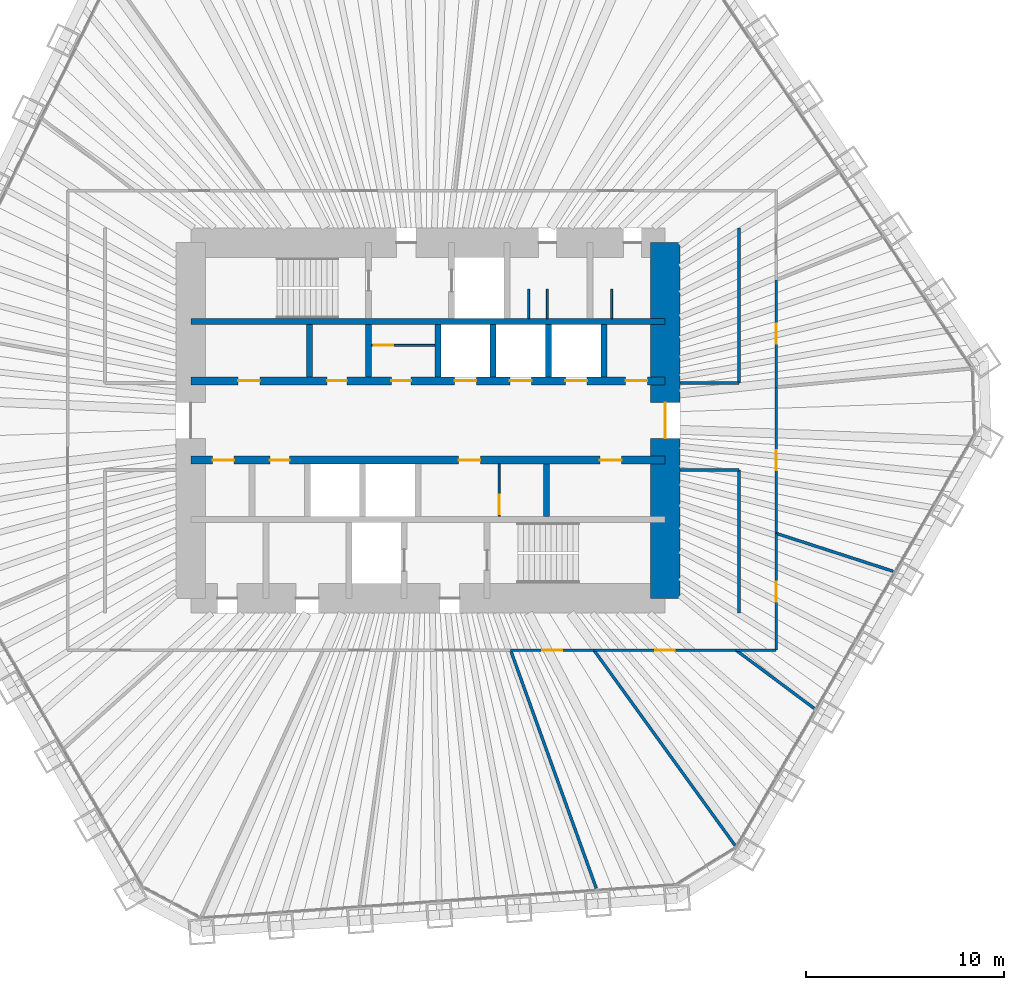
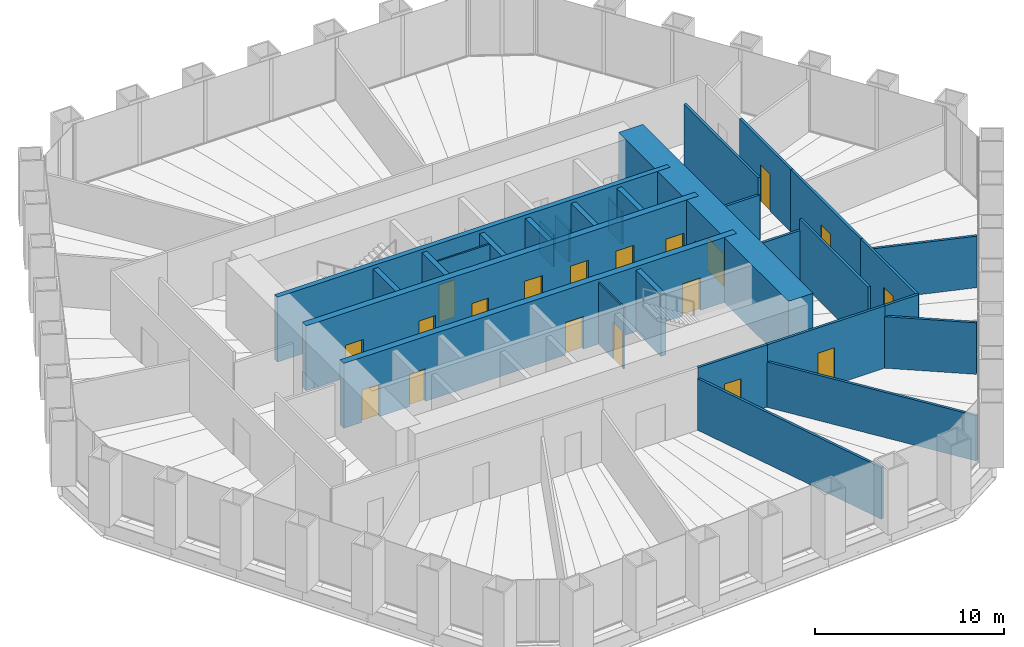
# One storey, part 11 of 13: 30 walls, 19 doors, 19 openings.
"""IFC4 building model written with IfcOpenShell, lengths in metres."""

import ifcopenshell
import ifcopenshell.guid

model = None  # the IFC model being written
_history = None  # IfcOwnerHistory: only IFC2X3 demands one
_inside = {}  # id of a spatial element -> (the spatial element, [elements in it])
_under = {}  # id of a project, library or spatial element -> (it, [spatial elements below it])
_declared = {}  # id of a project -> (the project, [libraries it declares])
_typed = {}  # id of a type object -> (the type object, [elements of that type])
_made_of = {}  # id of a material, layer set ... -> (it, [elements and type objects made of it])


def new_model(schema):
    """Start an empty IFC model of exactly this schema.

    Asked for "IFC4X3", IfcOpenShell would pick the latest addendum, in which some entities
    have other attributes; the version numbers below select the first issue.
    IFC2X3 requires an IfcOwnerHistory on every rooted entity: one is made here for all.
    """
    global model, _history
    if schema == "IFC4X3":
        model = ifcopenshell.file(schema_version=(4, 3, 0, 0))
    else:
        model = ifcopenshell.file(schema=schema)
    _inside.clear()
    _under.clear()
    _declared.clear()
    _typed.clear()
    _made_of.clear()
    _history = None
    if model.schema == "IFC2X3":
        org = make("IfcOrganization", Name="unknown")
        user = make(
            "IfcPersonAndOrganization",
            ThePerson=make("IfcPerson", FamilyName="unknown"),
            TheOrganization=org,
        )
        app = make(
            "IfcApplication",
            ApplicationDeveloper=org,
            Version="unknown",
            ApplicationFullName="unknown",
            ApplicationIdentifier="unknown",
        )
        _history = make(
            "IfcOwnerHistory",
            OwningUser=user,
            OwningApplication=app,
            ChangeAction="ADDED",
            CreationDate=0,
        )
    return model


def make(cls, **values):
    """One entity of the class cls with the attributes given. An attribute that is None is left unset."""
    return model.create_entity(
        cls, **{name: value for name, value in values.items() if value is not None}
    )


def rooted(cls, **values):
    """An entity with a GlobalId (a new one), such as an element, a storey or a relation."""
    return make(cls, GlobalId=ifcopenshell.guid.new(), OwnerHistory=_history, **values)


def si_unit(unit_type, name, prefix=None):
    """IfcSIUnit, for example si_unit("LENGTHUNIT", "METRE", prefix="MILLI")."""
    return make("IfcSIUnit", UnitType=unit_type, Prefix=prefix, Name=name)


def assignment(units):
    """IfcUnitAssignment: the units of a project."""
    return None if units is None else make("IfcUnitAssignment", Units=units)


def point(xyz):
    """IfcCartesianPoint."""
    return None if xyz is None else make("IfcCartesianPoint", Coordinates=xyz)


def direction(xyz):
    """IfcDirection."""
    return None if xyz is None else make("IfcDirection", DirectionRatios=xyz)


def frame(location, z_axis=None, x_axis=None):
    """IfcAxis2Placement3D, a coordinate frame: its origin and axes. An axis left out is left unset."""
    return make(
        "IfcAxis2Placement3D",
        Location=point(location),
        Axis=direction(z_axis),
        RefDirection=direction(x_axis),
    )


def frame_2d(location, x_axis=None):
    """IfcAxis2Placement2D, a coordinate frame in the plane: its origin and x axis."""
    return make(
        "IfcAxis2Placement2D", Location=point(location), RefDirection=direction(x_axis)
    )


def origin():
    """The frame at (0, 0, 0) with its axes left unset."""
    return frame((0.0, 0.0, 0.0))


def place(relative_to, where):
    """IfcLocalPlacement: puts the frame where relative to a parent placement (None: the world)."""
    return make(
        "IfcLocalPlacement", PlacementRelTo=relative_to, RelativePlacement=where
    )


def context(
    kind, dimensions, precision=None, world=None, true_north=None, identifier=None
):
    """IfcGeometricRepresentationContext, for example the 3D "Model" context."""
    return make(
        "IfcGeometricRepresentationContext",
        ContextIdentifier=identifier,
        ContextType=kind,
        CoordinateSpaceDimension=dimensions,
        Precision=precision,
        WorldCoordinateSystem=world,
        TrueNorth=true_north,
    )


def subcontext(parent, identifier, kind, view, scale=None):
    """IfcGeometricRepresentationSubContext, for example "Body" below "Model"."""
    return make(
        "IfcGeometricRepresentationSubContext",
        ContextIdentifier=identifier,
        ContextType=kind,
        ParentContext=parent,
        TargetScale=scale,
        TargetView=view,
    )


def project(units=None, contexts=None):
    """IfcProject with its units and contexts."""
    return rooted(
        "IfcProject",
        Name="project",
        RepresentationContexts=contexts,
        UnitsInContext=assignment(units),
    )


def spatial(cls, under=None, at=None, **own):
    """A site, building, storey or space (cls), placed at a placement, below another one or the project."""
    s = rooted(cls, ObjectPlacement=at, **own)
    if under is not None:
        _under.setdefault(under.id(), (under, []))[1].append(s)
    return s


def profile(cls, at=None, kind="AREA", **sizes):
    """A parametric profile (cls). Its sizes go by their IFC names, for example OverallWidth=200.0."""
    return make(cls, ProfileType=kind, Position=at, **sizes)


def rectangle(**sizes):
    """IfcRectangleProfileDef."""
    return profile("IfcRectangleProfileDef", **sizes)


def extrude(swept, where, along, depth):
    """IfcExtrudedAreaSolid: the profile swept, set in the frame where, extruded along a direction by depth."""
    return make(
        "IfcExtrudedAreaSolid",
        SweptArea=swept,
        Position=where,
        ExtrudedDirection=direction(along),
        Depth=depth,
    )


def shape(context_of_items, identifier, shape_type, items):
    """IfcShapeRepresentation: the items that make up one representation, for example the "Body"."""
    return make(
        "IfcShapeRepresentation",
        ContextOfItems=context_of_items,
        RepresentationIdentifier=identifier,
        RepresentationType=shape_type,
        Items=items,
    )


def material(Name=None, Category=None):
    """IfcMaterial."""
    return make("IfcMaterial", Name=Name, Category=Category)


def layer(
    of_material, thickness, ventilated=None, Name=None, Category=None, Priority=None
):
    """IfcMaterialLayer: one layer of a wall or slab, of a material (None: an air gap)."""
    return make(
        "IfcMaterialLayer",
        Material=of_material,
        LayerThickness=thickness,
        IsVentilated=ventilated,
        Name=Name,
        Category=Category,
        Priority=Priority,
    )


def layer_set(layers, Name=None):
    """IfcMaterialLayerSet."""
    return make("IfcMaterialLayerSet", MaterialLayers=layers, LayerSetName=Name)


def made_of(thing, what):
    """Note that an element or type object is made of a material, layer set ...; save() writes the relation."""
    if what is not None:
        _made_of.setdefault(what.id(), (what, []))[1].append(thing)
    return thing


def type_object(cls, material=None, **own):
    """A type object (cls), such as IfcWallType, which elements share."""
    return made_of(rooted(cls, **own), material)


def element(
    cls,
    number,
    at=None,
    inside=None,
    cuts=None,
    type_object=None,
    material=None,
    context=None,
    identifier="Body",
    shape_type=None,
    held_by="IfcProductDefinitionShape",
    body=None,
    shapes=None,
    **own,
):
    """One element of the class cls, such as IfcWall. Its Tag is "e" and its number.

    at: its placement. inside: the storey or other place that contains it. cuts: it is an
    opening in that element (IfcRelVoidsElement). A single representation is given by context,
    identifier, shape_type and body (its items); several are given by shapes. held_by: the class
    of the entity that holds the representations. save() writes the other relations.
    """
    e = rooted(cls, Tag="e%d" % number, ObjectPlacement=at, **own)
    if body is not None:
        shapes = [shape(context, identifier, shape_type, body)]
    if shapes is not None:
        e.Representation = make(held_by, Representations=shapes)
    if inside is not None:
        _inside.setdefault(inside.id(), (inside, []))[1].append(e)
    if cuts is not None:
        rooted(
            "IfcRelVoidsElement", RelatingBuildingElement=cuts, RelatedOpeningElement=e
        )
    if type_object is not None:
        _typed.setdefault(type_object.id(), (type_object, []))[1].append(e)
    return made_of(e, material)


def fill(opening, filler):
    """IfcRelFillsElement: the door or window that sits in an opening."""
    return rooted(
        "IfcRelFillsElement",
        RelatingOpeningElement=opening,
        RelatedBuildingElement=filler,
    )


def aggregate(whole, parts):
    """IfcRelAggregates: a whole, such as a stair, and the parts it consists of."""
    return rooted("IfcRelAggregates", RelatingObject=whole, RelatedObjects=parts)


def save(model, path):
    """Write the relations noted so far, then the file.

    IfcRelAggregates (storeys below a building ...), IfcRelContainedInSpatialStructure (elements
    in a storey), IfcRelDefinesByType, IfcRelAssociatesMaterial and IfcRelDeclares: one each for
    every whole, place, type object, material and project.
    """
    for whole, parts in _under.values():
        aggregate(whole, parts)
    for where, things in _inside.values():
        rooted(
            "IfcRelContainedInSpatialStructure",
            RelatedElements=things,
            RelatingStructure=where,
        )
    for kind, things in _typed.values():
        rooted("IfcRelDefinesByType", RelatedObjects=things, RelatingType=kind)
    for what, things in _made_of.values():
        rooted("IfcRelAssociatesMaterial", RelatedObjects=things, RelatingMaterial=what)
    for by, libraries in _declared.values():
        rooted("IfcRelDeclares", RelatingContext=by, RelatedDefinitions=libraries)
    model.write(path)


model = new_model("IFC4")

# Units and contexts
model_context = context("Model", 3, precision=1e-05, world=origin(), true_north=direction((0.0, 1.0)))
body_context = subcontext(model_context, "Body", "Model", "MODEL_VIEW")
ifc_project = project(units=[si_unit("LENGTHUNIT", "METRE"), si_unit("AREAUNIT", "SQUARE_METRE"), si_unit("VOLUMEUNIT", "CUBIC_METRE"), si_unit("PLANEANGLEUNIT", "RADIAN"), si_unit("MASSUNIT", "GRAM", prefix="KILO")], contexts=[model_context])

# Site, building, storey
site_placement = place(None, origin())
site = spatial("IfcSite", under=ifc_project, at=site_placement, CompositionType="ELEMENT")
building_placement = place(site_placement, origin())
building = spatial("IfcBuilding", under=site, at=building_placement, Name="Qingtian Harvest Tower", CompositionType="ELEMENT")
storey_placement = place(building_placement, frame((0.0, 0.0, 124.0)))
storey = spatial("IfcBuildingStorey", under=building, at=storey_placement, Name="L25", CompositionType="ELEMENT", Elevation=124.0)

# Wall
ifc_material_1 = material(Name="Concrete fc' 70 MPa", Category="concrete")
ifc_layer_1 = layer(ifc_material_1, 0.300048828125)
ifc_layer_set_1 = layer_set([ifc_layer_1], Name="Core inner wall RC5 300")
wall_type_1 = type_object("IfcWallType", Name="Core inner wall RC5 300", PredefinedType="SHEAR", material=ifc_layer_set_1)
wall_1_placement = place(storey_placement, frame((-12.0, 5.0, 0.0), z_axis=(0.0, 0.0, 1.0), x_axis=(1.0, 0.0, 0.0)))
element("IfcWall", 1, at=wall_1_placement, inside=storey, type_object=wall_type_1, Name="Core wall IN5 L25", PredefinedType="SHEAR", context=body_context, shape_type="SweptSolid", body=[
    extrude(rectangle(XDim=24.0, YDim=0.300048828125, at=frame_2d((12.0, 0.0))), origin(), (0.0, 0.0, 1.0), 4.199951171875),
])

# Wall, openings, doors
ifc_material_2 = material(Name="Concrete fc' 70 MPa", Category="concrete")
ifc_layer_2 = layer(ifc_material_2, 0.39990234375)
ifc_layer_set_2 = layer_set([ifc_layer_2], Name="Core inner web RC6 400")
wall_type_2 = type_object("IfcWallType", Name="Core inner web RC6 400", PredefinedType="SHEAR", material=ifc_layer_set_2)
wall_2_placement = place(storey_placement, frame((-12.0, 2.0, 0.0), z_axis=(0.0, 0.0, 1.0), x_axis=(1.0, 0.0, 0.0)))
wall_2 = element("IfcWall", 2, at=wall_2_placement, inside=storey, type_object=wall_type_2, Name="Core wall IN2 L25", PredefinedType="SHEAR", context=body_context, shape_type="SweptSolid", body=[
    extrude(rectangle(XDim=24.0, YDim=0.39990234375, at=frame_2d((12.0, 0.0))), origin(), (0.0, 0.0, 1.0), 4.199951171875),
])
opening_1_placement = place(wall_2_placement, frame((2.39990234375, 0.0, 0.0)))
opening_1 = element("IfcOpeningElement", 3, at=opening_1_placement, cuts=wall_2, Name="Opening FD4", PredefinedType="OPENING", context=body_context, shape_type="SweptSolid", body=[
    extrude(rectangle(XDim=1.10009765625, YDim=2.10009765625, at=frame_2d((0.550048828125, 1.050048828125))), frame((0.0, 0.2099609375, 0.0), z_axis=(0.0, -1.0, 0.0), x_axis=(1.0, 0.0, 0.0)), (0.0, 0.0, 1.0), 0.419921875),
])
opening_2_placement = place(wall_2_placement, frame((22.0, 0.0, 0.0)))
opening_2 = element("IfcOpeningElement", 4, at=opening_2_placement, cuts=wall_2, Name="Opening FD4", PredefinedType="OPENING", context=body_context, shape_type="SweptSolid", body=[
    extrude(rectangle(XDim=1.10009765625, YDim=2.10009765625, at=frame_2d((0.550048828125, 1.050048828125))), frame((0.0, 0.2099609375, 0.0), z_axis=(0.0, -1.0, 0.0), x_axis=(1.0, 0.0, 0.0)), (0.0, 0.0, 1.0), 0.419921875),
])
opening_3_placement = place(wall_2_placement, frame((10.14990234375, 0.0, 0.0)))
opening_3 = element("IfcOpeningElement", 5, at=opening_3_placement, cuts=wall_2, Name="Opening FD1", PredefinedType="OPENING", context=body_context, shape_type="SweptSolid", body=[
    extrude(rectangle(XDim=1.0, YDim=2.10009765625, at=frame_2d((0.5, 1.050048828125))), frame((0.0, 0.2099609375, 0.0), z_axis=(0.0, -1.0, 0.0), x_axis=(1.0, 0.0, 0.0)), (0.0, 0.0, 1.0), 0.419921875),
])
opening_4_placement = place(wall_2_placement, frame((6.89990234375, 0.0, 0.0)))
opening_4 = element("IfcOpeningElement", 6, at=opening_4_placement, cuts=wall_2, Name="Opening FD1", PredefinedType="OPENING", context=body_context, shape_type="SweptSolid", body=[
    extrude(rectangle(XDim=1.0, YDim=2.10009765625, at=frame_2d((0.5, 1.050048828125))), frame((0.0, 0.2099609375, 0.0), z_axis=(0.0, -1.0, 0.0), x_axis=(1.0, 0.0, 0.0)), (0.0, 0.0, 1.0), 0.419921875),
])
opening_5_placement = place(wall_2_placement, frame((13.35009765625, 0.0, 0.0)))
opening_5 = element("IfcOpeningElement", 7, at=opening_5_placement, cuts=wall_2, Name="Opening LD1", PredefinedType="OPENING", context=body_context, shape_type="SweptSolid", body=[
    extrude(rectangle(XDim=1.10009765625, YDim=2.39990234375, at=frame_2d((0.550048828125, 1.199951171875))), frame((0.0, 0.2099609375, 0.0), z_axis=(0.0, -1.0, 0.0), x_axis=(1.0, 0.0, 0.0)), (0.0, 0.0, 1.0), 0.419921875),
])
opening_6_placement = place(wall_2_placement, frame((16.14990234375, 0.0, 0.0)))
opening_6 = element("IfcOpeningElement", 8, at=opening_6_placement, cuts=wall_2, Name="Opening LD1", PredefinedType="OPENING", context=body_context, shape_type="SweptSolid", body=[
    extrude(rectangle(XDim=1.10009765625, YDim=2.39990234375, at=frame_2d((0.550048828125, 1.199951171875))), frame((0.0, 0.2099609375, 0.0), z_axis=(0.0, -1.0, 0.0), x_axis=(1.0, 0.0, 0.0)), (0.0, 0.0, 1.0), 0.419921875),
])
opening_7_placement = place(wall_2_placement, frame((18.949951171875, 0.0, 0.0)))
opening_7 = element("IfcOpeningElement", 9, at=opening_7_placement, cuts=wall_2, Name="Opening LD1", PredefinedType="OPENING", context=body_context, shape_type="SweptSolid", body=[
    extrude(rectangle(XDim=1.10009765625, YDim=2.39990234375, at=frame_2d((0.550048828125, 1.199951171875))), frame((0.0, 0.2099609375, 0.0), z_axis=(0.0, -1.0, 0.0), x_axis=(1.0, 0.0, 0.0)), (0.0, 0.0, 1.0), 0.419921875),
])
ifc_material_3 = material(Name="Steel-faced door leaf", Category="steel")
door_type_1 = type_object("IfcDoorType", Name="Fire door FD1 single 1 HR", OperationType="SINGLE_SWING_LEFT", PredefinedType="DOOR", material=ifc_material_3)
door_1_placement = place(opening_3_placement, origin())
door_1 = element("IfcDoor", 10, at=door_1_placement, inside=storey, type_object=door_type_1, Name="STA door L25", OperationType="SINGLE_SWING_RIGHT", OverallHeight=2.10009765625, OverallWidth=1.0, PredefinedType="DOOR", context=body_context, shape_type="SweptSolid", body=[
    extrude(rectangle(XDim=1.0, YDim=2.10009765625, at=frame_2d((0.5, 1.050048828125))), frame((0.0, 0.02490234375, 0.0), z_axis=(0.0, -1.0, 0.0), x_axis=(1.0, 0.0, 0.0)), (0.0, 0.0, 1.0), 0.050048828125),
])
fill(opening_3, door_1)
door_2_placement = place(opening_4_placement, origin())
door_2 = element("IfcDoor", 11, at=door_2_placement, inside=storey, type_object=door_type_1, Name="Linen store door L25", OperationType="SINGLE_SWING_LEFT", OverallHeight=2.10009765625, OverallWidth=1.0, PredefinedType="DOOR", context=body_context, shape_type="SweptSolid", body=[
    extrude(rectangle(XDim=1.0, YDim=2.10009765625, at=frame_2d((0.5, 1.050048828125))), frame((0.0, 0.02490234375, 0.0), z_axis=(0.0, -1.0, 0.0), x_axis=(1.0, 0.0, 0.0)), (0.0, 0.0, 1.0), 0.050048828125),
])
fill(opening_4, door_2)
ifc_material_4 = material(Name="Steel-faced door leaf", Category="steel")
door_type_2 = type_object("IfcDoorType", Name="Fire door FD4 single 2 HR", OperationType="SINGLE_SWING_LEFT", PredefinedType="DOOR", material=ifc_material_4)
door_3_placement = place(opening_1_placement, origin())
door_3 = element("IfcDoor", 12, at=door_3_placement, inside=storey, type_object=door_type_2, Name="RA door L25", OperationType="SINGLE_SWING_RIGHT", OverallHeight=2.10009765625, OverallWidth=1.10009765625, PredefinedType="DOOR", context=body_context, shape_type="SweptSolid", body=[
    extrude(rectangle(XDim=1.10009765625, YDim=2.10009765625, at=frame_2d((0.550048828125, 1.050048828125))), frame((0.0, 0.02490234375, 0.0), z_axis=(0.0, -1.0, 0.0), x_axis=(1.0, 0.0, 0.0)), (0.0, 0.0, 1.0), 0.050048828125),
])
fill(opening_1, door_3)
door_4_placement = place(opening_2_placement, origin())
door_4 = element("IfcDoor", 13, at=door_4_placement, inside=storey, type_object=door_type_2, Name="AHU door L25", OperationType="SINGLE_SWING_LEFT", OverallHeight=2.10009765625, OverallWidth=1.10009765625, PredefinedType="DOOR", context=body_context, shape_type="SweptSolid", body=[
    extrude(rectangle(XDim=1.10009765625, YDim=2.10009765625, at=frame_2d((0.550048828125, 1.050048828125))), frame((0.0, 0.02490234375, 0.0), z_axis=(0.0, -1.0, 0.0), x_axis=(1.0, 0.0, 0.0)), (0.0, 0.0, 1.0), 0.050048828125),
])
fill(opening_2, door_4)
ifc_material_5 = material(Name="Stainless steel lift landing door", Category="steel")
door_type_3 = type_object("IfcDoorType", Name="Lift landing door LD1 1 HR", OperationType="DOUBLE_DOOR_SLIDING", PredefinedType="DOOR", material=ifc_material_5)
door_5_placement = place(opening_5_placement, origin())
door_5 = element("IfcDoor", 14, at=door_5_placement, inside=storey, type_object=door_type_3, Name="PLB1 landing door L25", OperationType="DOUBLE_DOOR_SLIDING", OverallHeight=2.39990234375, OverallWidth=1.10009765625, PredefinedType="DOOR", context=body_context, shape_type="SweptSolid", body=[
    extrude(rectangle(XDim=1.10009765625, YDim=2.39990234375, at=frame_2d((0.550048828125, 1.199951171875))), frame((0.0, 0.02490234375, 0.0), z_axis=(0.0, -1.0, 0.0), x_axis=(1.0, 0.0, 0.0)), (0.0, 0.0, 1.0), 0.050048828125),
])
fill(opening_5, door_5)
door_6_placement = place(opening_6_placement, origin())
door_6 = element("IfcDoor", 15, at=door_6_placement, inside=storey, type_object=door_type_3, Name="PLB2 landing door L25", OperationType="DOUBLE_DOOR_SLIDING", OverallHeight=2.39990234375, OverallWidth=1.10009765625, PredefinedType="DOOR", context=body_context, shape_type="SweptSolid", body=[
    extrude(rectangle(XDim=1.10009765625, YDim=2.39990234375, at=frame_2d((0.550048828125, 1.199951171875))), frame((0.0, 0.02490234375, 0.0), z_axis=(0.0, -1.0, 0.0), x_axis=(1.0, 0.0, 0.0)), (0.0, 0.0, 1.0), 0.050048828125),
])
fill(opening_6, door_6)
door_7_placement = place(opening_7_placement, origin())
door_7 = element("IfcDoor", 16, at=door_7_placement, inside=storey, type_object=door_type_3, Name="PLB3 landing door L25", OperationType="DOUBLE_DOOR_SLIDING", OverallHeight=2.39990234375, OverallWidth=1.10009765625, PredefinedType="DOOR", context=body_context, shape_type="SweptSolid", body=[
    extrude(rectangle(XDim=1.10009765625, YDim=2.39990234375, at=frame_2d((0.550048828125, 1.199951171875))), frame((0.0, 0.02490234375, 0.0), z_axis=(0.0, -1.0, 0.0), x_axis=(1.0, 0.0, 0.0)), (0.0, 0.0, 1.0), 0.050048828125),
])
fill(opening_7, door_7)

wall_3_placement = place(storey_placement, frame((-12.0, -2.0, 0.0), z_axis=(0.0, 0.0, 1.0), x_axis=(1.0, 0.0, 0.0)))
wall_3 = element("IfcWall", 17, at=wall_3_placement, inside=storey, type_object=wall_type_2, Name="Core wall IS2 L25", PredefinedType="SHEAR", context=body_context, shape_type="SweptSolid", body=[
    extrude(rectangle(XDim=24.0, YDim=0.39990234375, at=frame_2d((12.0, 0.0))), origin(), (0.0, 0.0, 1.0), 4.199951171875),
])
opening_8_placement = place(wall_3_placement, frame((1.10009765625, 0.0, 0.0)))
opening_8 = element("IfcOpeningElement", 18, at=opening_8_placement, cuts=wall_3, Name="Opening FD4", PredefinedType="OPENING", context=body_context, shape_type="SweptSolid", body=[
    extrude(rectangle(XDim=1.10009765625, YDim=2.10009765625, at=frame_2d((0.550048828125, 1.050048828125))), frame((0.0, 0.2099609375, 0.0), z_axis=(0.0, -1.0, 0.0), x_axis=(1.0, 0.0, 0.0)), (0.0, 0.0, 1.0), 0.419921875),
])
opening_9_placement = place(wall_3_placement, frame((13.550048828125, 0.0, 0.0)))
opening_9 = element("IfcOpeningElement", 19, at=opening_9_placement, cuts=wall_3, Name="Opening FD4", PredefinedType="OPENING", context=body_context, shape_type="SweptSolid", body=[
    extrude(rectangle(XDim=1.10009765625, YDim=2.10009765625, at=frame_2d((0.550048828125, 1.050048828125))), frame((0.0, 0.2099609375, 0.0), z_axis=(0.0, -1.0, 0.0), x_axis=(1.0, 0.0, 0.0)), (0.0, 0.0, 1.0), 0.419921875),
])
opening_10_placement = place(wall_3_placement, frame((20.699951171875, 0.0, 0.0)))
opening_10 = element("IfcOpeningElement", 20, at=opening_10_placement, cuts=wall_3, Name="Opening FD4", PredefinedType="OPENING", context=body_context, shape_type="SweptSolid", body=[
    extrude(rectangle(XDim=1.10009765625, YDim=2.10009765625, at=frame_2d((0.550048828125, 1.050048828125))), frame((0.0, 0.2099609375, 0.0), z_axis=(0.0, -1.0, 0.0), x_axis=(1.0, 0.0, 0.0)), (0.0, 0.0, 1.0), 0.419921875),
])
opening_11_placement = place(wall_3_placement, frame((4.0, 0.0, 0.0)))
opening_11 = element("IfcOpeningElement", 21, at=opening_11_placement, cuts=wall_3, Name="Opening FD1", PredefinedType="OPENING", context=body_context, shape_type="SweptSolid", body=[
    extrude(rectangle(XDim=1.0, YDim=2.10009765625, at=frame_2d((0.5, 1.050048828125))), frame((0.0, 0.2099609375, 0.0), z_axis=(0.0, -1.0, 0.0), x_axis=(1.0, 0.0, 0.0)), (0.0, 0.0, 1.0), 0.419921875),
])
door_8_placement = place(opening_11_placement, origin())
door_8 = element("IfcDoor", 22, at=door_8_placement, inside=storey, type_object=door_type_1, Name="Store door L25", OperationType="SINGLE_SWING_LEFT", OverallHeight=2.10009765625, OverallWidth=1.0, PredefinedType="DOOR", context=body_context, shape_type="SweptSolid", body=[
    extrude(rectangle(XDim=1.0, YDim=2.10009765625, at=frame_2d((0.5, 1.050048828125))), frame((0.0, 0.02490234375, 0.0), z_axis=(0.0, -1.0, 0.0), x_axis=(1.0, 0.0, 0.0)), (0.0, 0.0, 1.0), 0.050048828125),
])
fill(opening_11, door_8)
door_9_placement = place(opening_8_placement, origin())
door_9 = element("IfcDoor", 23, at=door_9_placement, inside=storey, type_object=door_type_2, Name="RB door L25", OperationType="SINGLE_SWING_RIGHT", OverallHeight=2.10009765625, OverallWidth=1.10009765625, PredefinedType="DOOR", context=body_context, shape_type="SweptSolid", body=[
    extrude(rectangle(XDim=1.10009765625, YDim=2.10009765625, at=frame_2d((0.550048828125, 1.050048828125))), frame((0.0, 0.02490234375, 0.0), z_axis=(0.0, -1.0, 0.0), x_axis=(1.0, 0.0, 0.0)), (0.0, 0.0, 1.0), 0.050048828125),
])
fill(opening_8, door_9)
door_10_placement = place(opening_9_placement, origin())
door_10 = element("IfcDoor", 24, at=door_10_placement, inside=storey, type_object=door_type_2, Name="ELEC door L25", OperationType="SINGLE_SWING_LEFT", OverallHeight=2.10009765625, OverallWidth=1.10009765625, PredefinedType="DOOR", context=body_context, shape_type="SweptSolid", body=[
    extrude(rectangle(XDim=1.10009765625, YDim=2.10009765625, at=frame_2d((0.550048828125, 1.050048828125))), frame((0.0, 0.02490234375, 0.0), z_axis=(0.0, -1.0, 0.0), x_axis=(1.0, 0.0, 0.0)), (0.0, 0.0, 1.0), 0.050048828125),
])
fill(opening_9, door_10)
door_11_placement = place(opening_10_placement, origin())
door_11 = element("IfcDoor", 25, at=door_11_placement, inside=storey, type_object=door_type_2, Name="DUCT door L25", OperationType="SINGLE_SWING_RIGHT", OverallHeight=2.10009765625, OverallWidth=1.10009765625, PredefinedType="DOOR", context=body_context, shape_type="SweptSolid", body=[
    extrude(rectangle(XDim=1.10009765625, YDim=2.10009765625, at=frame_2d((0.550048828125, 1.050048828125))), frame((0.0, 0.02490234375, 0.0), z_axis=(0.0, -1.0, 0.0), x_axis=(1.0, 0.0, 0.0)), (0.0, 0.0, 1.0), 0.050048828125),
])
fill(opening_10, door_11)

# Walls
ifc_material_6 = material(Name="Precast concrete shaft panel", Category="concrete")
ifc_layer_3 = layer(ifc_material_6, 0.300048828125)
ifc_layer_set_3 = layer_set([ifc_layer_3], Name="Core shaft partition SW1 300")
wall_type_3 = type_object("IfcWallType", Name="Core shaft partition SW1 300", PredefinedType="PARTITIONING", material=ifc_layer_set_3)
for number, where, z_axis, x_axis, name in (
    (26, (-6.0, 2.199951171875, 0.0), (0.0, 0.0, 1.0), (0.0, 1.0, 0.0), "Core shaft partition XA1 L25"),
    (27, (-3.0, 2.199951171875, 0.0), (0.0, 0.0, 1.0), (0.0, 1.0, 0.0), "Core shaft partition XA2 L25"),
    (28, (0.5, 2.199951171875, 0.0), (0.0, 0.0, 1.0), (0.0, 1.0, 0.0), "Core shaft partition XA3 L25"),
    (29, (3.300048828125, 2.199951171875, 0.0), (0.0, 0.0, 1.0), (0.0, 1.0, 0.0), "Core shaft partition XA4 L25"),
    (30, (6.10009765625, 2.199951171875, 0.0), (0.0, 0.0, 1.0), (0.0, 1.0, 0.0), "Core shaft partition XA5 L25"),
    (31, (8.89990234375, 2.199951171875, 0.0), (0.0, 0.0, 1.0), (0.0, 1.0, 0.0), "Core shaft partition XA6 L25"),
    (32, (6.0, -4.85009765625, 0.0), (0.0, 0.0, 1.0), (0.0, 1.0, 0.0), "Core shaft partition XB5 L25"),
):
    element("IfcWall", number, at=place(storey_placement, frame(where, z_axis=z_axis, x_axis=x_axis)), inside=storey, type_object=wall_type_3, Name=name, PredefinedType="PARTITIONING", context=body_context, shape_type="SweptSolid", body=[
        extrude(rectangle(XDim=2.650146484375, YDim=0.300048828125, at=frame_2d((1.3251953125, 0.0))), origin(), (0.0, 0.0, 1.0), 3.97998046875),
    ])

# Wall, opening, door
ifc_material_7 = material(Name="Concrete fc' 70 MPa", Category="concrete")
ifc_layer_4 = layer(ifc_material_7, 1.5)
ifc_layer_set_4 = layer_set([ifc_layer_4], Name="Core wall RC1 1500")
wall_type_4 = type_object("IfcWallType", Name="Core wall RC1 1500", PredefinedType="SHEAR", material=ifc_layer_set_4)
wall_4_placement = place(storey_placement, frame((12.0, -9.0, 0.0), z_axis=(0.0, 0.0, 1.0), x_axis=(0.0, 1.0, 0.0)))
wall_4 = element("IfcWall", 33, at=wall_4_placement, inside=storey, type_object=wall_type_4, Name="Core wall CE L25", PredefinedType="SHEAR", context=body_context, shape_type="SweptSolid", body=[
    extrude(rectangle(XDim=18.0, YDim=1.5, at=frame_2d((9.0, 0.0))), origin(), (0.0, 0.0, 1.0), 4.199951171875),
])
opening_12_placement = place(wall_4_placement, frame((8.10009765625, 0.0, 0.0)))
opening_12 = element("IfcOpeningElement", 34, at=opening_12_placement, cuts=wall_4, Name="Opening FD2", PredefinedType="OPENING", context=body_context, shape_type="SweptSolid", body=[
    extrude(rectangle(XDim=1.800048828125, YDim=2.10009765625, at=frame_2d((0.89990234375, 1.050048828125))), frame((0.0, 0.760009765625, 0.0), z_axis=(0.0, -1.0, 0.0), x_axis=(1.0, 0.0, 0.0)), (0.0, 0.0, 1.0), 1.52001953125),
])
ifc_material_8 = material(Name="Steel-faced door leaf", Category="steel")
door_type_4 = type_object("IfcDoorType", Name="Fire door FD2 double 1 HR", OperationType="DOUBLE_DOOR_DOUBLE_SWING", PredefinedType="DOOR", material=ifc_material_8)
door_12_placement = place(opening_12_placement, origin())
door_12 = element("IfcDoor", 35, at=door_12_placement, inside=storey, type_object=door_type_4, Name="LOBBY-E door L25", OperationType="DOUBLE_DOOR_DOUBLE_SWING", OverallHeight=2.10009765625, OverallWidth=1.800048828125, PredefinedType="DOOR", context=body_context, shape_type="SweptSolid", body=[
    extrude(rectangle(XDim=1.800048828125, YDim=2.10009765625, at=frame_2d((0.89990234375, 1.050048828125))), frame((0.0, 0.02490234375, 0.0), z_axis=(0.0, -1.0, 0.0), x_axis=(1.0, 0.0, 0.0)), (0.0, 0.0, 1.0), 0.050048828125),
])
fill(opening_12, door_12)

ifc_material_9 = material(Name="Gypsum board on steel studs", Category="steel")
ifc_layer_5 = layer(ifc_material_9, 0.14990234375)
ifc_layer_set_5 = layer_set([ifc_layer_5], Name="Partition PT1 150")
wall_type_5 = type_object("IfcWallType", Name="Partition PT1 150", PredefinedType="PARTITIONING", material=ifc_layer_set_5)
wall_5_placement = place(storey_placement, frame((17.625, 7.10595703125, 0.0), z_axis=(0.0, 0.0, 1.0), x_axis=(0.0, -1.0, 0.0)))
wall_5 = element("IfcWall", 36, at=wall_5_placement, inside=storey, type_object=wall_type_5, Name="Pantry wall L25", PredefinedType="PARTITIONING", context=body_context, shape_type="SweptSolid", body=[
    extrude(rectangle(XDim=5.424560546875, YDim=0.14990234375, at=frame_2d((2.71240234375, 0.0))), origin(), (0.0, 0.0, 1.0), 4.030029296875),
])
opening_13_placement = place(wall_5_placement, frame((2.21240234375, 0.0, 0.0)))
opening_13 = element("IfcOpeningElement", 37, at=opening_13_placement, cuts=wall_5, Name="Opening D2", PredefinedType="OPENING", context=body_context, shape_type="SweptSolid", body=[
    extrude(rectangle(XDim=1.0, YDim=2.39990234375, at=frame_2d((0.5, 1.199951171875))), frame((0.0, 0.0849609375, 0.0), z_axis=(0.0, -1.0, 0.0), x_axis=(1.0, 0.0, 0.0)), (0.0, 0.0, 1.0), 0.169921875),
])
ifc_material_10 = material(Name="Laminated timber door leaf", Category="wood")
door_type_5 = type_object("IfcDoorType", Name="Room door D2 single", OperationType="SINGLE_SWING_LEFT", PredefinedType="DOOR", material=ifc_material_10)
door_13_placement = place(opening_13_placement, origin())
door_13 = element("IfcDoor", 38, at=door_13_placement, inside=storey, type_object=door_type_5, Name="Pantry door L25", OperationType="SINGLE_SWING_RIGHT", OverallHeight=2.39990234375, OverallWidth=1.0, PredefinedType="DOOR", context=body_context, shape_type="SweptSolid", body=[
    extrude(rectangle(XDim=1.0, YDim=2.39990234375, at=frame_2d((0.5, 1.199951171875))), frame((0.0, 0.02490234375, 0.0), z_axis=(0.0, -1.0, 0.0), x_axis=(1.0, 0.0, 0.0)), (0.0, 0.0, 1.0), 0.050048828125),
])
fill(opening_13, door_13)

wall_6_placement = place(storey_placement, frame((17.625, 1.681396484375, 0.0), z_axis=(0.0, 0.0, 1.0), x_axis=(0.0, -1.0, 0.0)))
wall_6 = element("IfcWall", 39, at=wall_6_placement, inside=storey, type_object=wall_type_5, Name="Specimen store wall L25", PredefinedType="PARTITIONING", context=body_context, shape_type="SweptSolid", body=[
    extrude(rectangle(XDim=7.39404296875, YDim=0.14990234375, at=frame_2d((3.697021484375, 0.0))), origin(), (0.0, 0.0, 1.0), 4.030029296875),
])
opening_14_placement = place(wall_6_placement, frame((3.197021484375, 0.0, 0.0)))
opening_14 = element("IfcOpeningElement", 40, at=opening_14_placement, cuts=wall_6, Name="Opening D2", PredefinedType="OPENING", context=body_context, shape_type="SweptSolid", body=[
    extrude(rectangle(XDim=1.0, YDim=2.39990234375, at=frame_2d((0.5, 1.199951171875))), frame((0.0, 0.0849609375, 0.0), z_axis=(0.0, -1.0, 0.0), x_axis=(1.0, 0.0, 0.0)), (0.0, 0.0, 1.0), 0.169921875),
])
door_14_placement = place(opening_14_placement, origin())
door_14 = element("IfcDoor", 41, at=door_14_placement, inside=storey, type_object=door_type_5, Name="Specimen store door L25", OperationType="SINGLE_SWING_RIGHT", OverallHeight=2.39990234375, OverallWidth=1.0, PredefinedType="DOOR", context=body_context, shape_type="SweptSolid", body=[
    extrude(rectangle(XDim=1.0, YDim=2.39990234375, at=frame_2d((0.5, 1.199951171875))), frame((0.0, 0.02490234375, 0.0), z_axis=(0.0, -1.0, 0.0), x_axis=(1.0, 0.0, 0.0)), (0.0, 0.0, 1.0), 0.050048828125),
])
fill(opening_14, door_14)

# Wall
wall_7_placement = place(storey_placement, frame((23.541015625, -7.630126953125, 0.0), z_axis=(0.0, 0.0, 1.0), x_axis=(-0.951280715006, 0.308326128081, 0.0)))
element("IfcWall", 42, at=wall_7_placement, inside=storey, type_object=wall_type_5, Name="Tasting room wall L25", PredefinedType="PARTITIONING", context=body_context, shape_type="SweptSolid", body=[
    extrude(rectangle(XDim=6.218994140625, YDim=0.14990234375, at=frame_2d((3.109375, 0.0))), origin(), (0.0, 0.0, 1.0), 3.330078125),
])

# Wall, opening, door
wall_8_placement = place(storey_placement, frame((17.625, -5.712646484375, 0.0), z_axis=(0.0, 0.0, 1.0), x_axis=(0.0, -1.0, 0.0)))
wall_8 = element("IfcWall", 43, at=wall_8_placement, inside=storey, type_object=wall_type_5, Name="Tasting room wall L25", PredefinedType="PARTITIONING", context=body_context, shape_type="SweptSolid", body=[
    extrude(rectangle(XDim=5.912353515625, YDim=0.14990234375, at=frame_2d((2.9560546875, 0.0))), origin(), (0.0, 0.0, 1.0), 4.030029296875),
])
opening_15_placement = place(wall_8_placement, frame((2.456298828125, 0.0, 0.0)))
opening_15 = element("IfcOpeningElement", 44, at=opening_15_placement, cuts=wall_8, Name="Opening D2", PredefinedType="OPENING", context=body_context, shape_type="SweptSolid", body=[
    extrude(rectangle(XDim=1.0, YDim=2.39990234375, at=frame_2d((0.5, 1.199951171875))), frame((0.0, 0.0849609375, 0.0), z_axis=(0.0, -1.0, 0.0), x_axis=(1.0, 0.0, 0.0)), (0.0, 0.0, 1.0), 0.169921875),
])
door_15_placement = place(opening_15_placement, origin())
door_15 = element("IfcDoor", 45, at=door_15_placement, inside=storey, type_object=door_type_5, Name="Tasting room door L25", OperationType="SINGLE_SWING_LEFT", OverallHeight=2.39990234375, OverallWidth=1.0, PredefinedType="DOOR", context=body_context, shape_type="SweptSolid", body=[
    extrude(rectangle(XDim=1.0, YDim=2.39990234375, at=frame_2d((0.5, 1.199951171875))), frame((0.0, 0.02490234375, 0.0), z_axis=(0.0, -1.0, 0.0), x_axis=(1.0, 0.0, 0.0)), (0.0, 0.0, 1.0), 0.050048828125),
])
fill(opening_15, door_15)

# Walls
wall_9_placement = place(storey_placement, frame((17.625, -11.625, 0.0), z_axis=(0.0, 0.0, 1.0), x_axis=(-1.0, 0.0, 0.0)))
element("IfcWall", 46, at=wall_9_placement, inside=storey, type_object=wall_type_5, Name="Tasting room wall L25", PredefinedType="PARTITIONING", context=body_context, shape_type="SweptSolid", body=[
    extrude(rectangle(XDim=2.02880859375, YDim=0.14990234375, at=frame_2d((1.014404296875, 0.0))), origin(), (0.0, 0.0, 1.0), 4.030029296875),
])
wall_10_placement = place(storey_placement, frame((19.536865234375, -14.562255859375, 0.0), z_axis=(0.0, 0.0, 1.0), x_axis=(-0.801778753003, 0.597620976233, 0.0)))
element("IfcWall", 47, at=wall_10_placement, inside=storey, type_object=wall_type_5, Name="Meeting room wall L25", PredefinedType="PARTITIONING", context=body_context, shape_type="SweptSolid", body=[
    extrude(rectangle(XDim=4.914794921875, YDim=0.14990234375, at=frame_2d((2.45751953125, 0.0))), origin(), (0.0, 0.0, 1.0), 3.330078125),
])

# Wall, opening, door
wall_11_placement = place(storey_placement, frame((15.59619140625, -11.625, 0.0), z_axis=(0.0, 0.0, 1.0), x_axis=(-1.0, 0.0, 0.0)))
wall_11 = element("IfcWall", 48, at=wall_11_placement, inside=storey, type_object=wall_type_5, Name="Meeting room wall L25", PredefinedType="PARTITIONING", context=body_context, shape_type="SweptSolid", body=[
    extrude(rectangle(XDim=7.19482421875, YDim=0.14990234375, at=frame_2d((3.597412109375, 0.0))), origin(), (0.0, 0.0, 1.0), 4.030029296875),
])
opening_16_placement = place(wall_11_placement, frame((3.097412109375, 0.0, 0.0)))
opening_16 = element("IfcOpeningElement", 49, at=opening_16_placement, cuts=wall_11, Name="Opening D2", PredefinedType="OPENING", context=body_context, shape_type="SweptSolid", body=[
    extrude(rectangle(XDim=1.0, YDim=2.39990234375, at=frame_2d((0.5, 1.199951171875))), frame((0.0, 0.0849609375, 0.0), z_axis=(0.0, -1.0, 0.0), x_axis=(1.0, 0.0, 0.0)), (0.0, 0.0, 1.0), 0.169921875),
])
door_16_placement = place(opening_16_placement, origin())
door_16 = element("IfcDoor", 50, at=door_16_placement, inside=storey, type_object=door_type_5, Name="Meeting room door L25", OperationType="SINGLE_SWING_LEFT", OverallHeight=2.39990234375, OverallWidth=1.0, PredefinedType="DOOR", context=body_context, shape_type="SweptSolid", body=[
    extrude(rectangle(XDim=1.0, YDim=2.39990234375, at=frame_2d((0.5, 1.199951171875))), frame((0.0, 0.02490234375, 0.0), z_axis=(0.0, -1.0, 0.0), x_axis=(1.0, 0.0, 0.0)), (0.0, 0.0, 1.0), 0.050048828125),
])
fill(opening_16, door_16)

# Wall
wall_12_placement = place(storey_placement, frame((15.53955078125, -21.50244140625, 0.0), z_axis=(0.0, 0.0, 1.0), x_axis=(-0.585731902034, 0.810504866697, 0.0)))
element("IfcWall", 51, at=wall_12_placement, inside=storey, type_object=wall_type_5, Name="Print room wall L25", PredefinedType="PARTITIONING", context=body_context, shape_type="SweptSolid", body=[
    extrude(rectangle(XDim=12.186767578125, YDim=0.14990234375, at=frame_2d((6.09326171875, 0.0))), origin(), (0.0, 0.0, 1.0), 2.929931640625),
])

# Wall, opening, door
wall_13_placement = place(storey_placement, frame((8.4013671875, -11.625, 0.0), z_axis=(0.0, 0.0, 1.0), x_axis=(-1.0, 0.0, 0.0)))
wall_13 = element("IfcWall", 52, at=wall_13_placement, inside=storey, type_object=wall_type_5, Name="Print room wall L25", PredefinedType="PARTITIONING", context=body_context, shape_type="SweptSolid", body=[
    extrude(rectangle(XDim=4.21728515625, YDim=0.14990234375, at=frame_2d((2.108642578125, 0.0))), origin(), (0.0, 0.0, 1.0), 4.030029296875),
])
opening_17_placement = place(wall_13_placement, frame((1.608642578125, 0.0, 0.0)))
opening_17 = element("IfcOpeningElement", 53, at=opening_17_placement, cuts=wall_13, Name="Opening D2", PredefinedType="OPENING", context=body_context, shape_type="SweptSolid", body=[
    extrude(rectangle(XDim=1.0, YDim=2.39990234375, at=frame_2d((0.5, 1.199951171875))), frame((0.0, 0.0849609375, 0.0), z_axis=(0.0, -1.0, 0.0), x_axis=(1.0, 0.0, 0.0)), (0.0, 0.0, 1.0), 0.169921875),
])
door_17_placement = place(opening_17_placement, origin())
door_17 = element("IfcDoor", 54, at=door_17_placement, inside=storey, type_object=door_type_5, Name="Print room door L25", OperationType="SINGLE_SWING_LEFT", OverallHeight=2.39990234375, OverallWidth=1.0, PredefinedType="DOOR", context=body_context, shape_type="SweptSolid", body=[
    extrude(rectangle(XDim=1.0, YDim=2.39990234375, at=frame_2d((0.5, 1.199951171875))), frame((0.0, 0.02490234375, 0.0), z_axis=(0.0, -1.0, 0.0), x_axis=(1.0, 0.0, 0.0)), (0.0, 0.0, 1.0), 0.050048828125),
])
fill(opening_17, door_17)

# Walls
wall_14_placement = place(storey_placement, frame((8.51806640625, -23.667236328125, 0.0), z_axis=(0.0, 0.0, 1.0), x_axis=(-0.338635030469, 0.940917805198, 0.0)))
element("IfcWall", 55, at=wall_14_placement, inside=storey, type_object=wall_type_5, Name="Meeting room wall L25", PredefinedType="PARTITIONING", context=body_context, shape_type="SweptSolid", body=[
    extrude(rectangle(XDim=12.79833984375, YDim=0.14990234375, at=frame_2d((6.399169921875, 0.0))), origin(), (0.0, 0.0, 1.0), 3.330078125),
])
wall_15_placement = place(storey_placement, frame((15.75, 1.89990234375, 0.0), z_axis=(0.0, 0.0, 1.0), x_axis=(0.0, 1.0, 0.0)))
element("IfcWall", 56, at=wall_15_placement, inside=storey, type_object=wall_type_5, Name="Breakout space wall L25", PredefinedType="PARTITIONING", context=body_context, shape_type="SweptSolid", body=[
    extrude(rectangle(XDim=7.85009765625, YDim=0.14990234375, at=frame_2d((3.925048828125, 0.0))), origin(), (0.0, 0.0, 1.0), 4.030029296875),
])
wall_16_placement = place(storey_placement, frame((12.75, 1.89990234375, 0.0), z_axis=(0.0, 0.0, 1.0), x_axis=(1.0, 0.0, 0.0)))
element("IfcWall", 57, at=wall_16_placement, inside=storey, type_object=wall_type_5, Name="Breakout space wall L25", PredefinedType="PARTITIONING", context=body_context, shape_type="SweptSolid", body=[
    extrude(rectangle(XDim=3.0, YDim=0.14990234375, at=frame_2d((1.5, 0.0))), origin(), (0.0, 0.0, 1.0), 2.929931640625),
])
wall_17_placement = place(storey_placement, frame((15.75, -9.75, 0.0), z_axis=(0.0, 0.0, 1.0), x_axis=(0.0, 1.0, 0.0)))
element("IfcWall", 58, at=wall_17_placement, inside=storey, type_object=wall_type_5, Name="Print area wall L25", PredefinedType="PARTITIONING", context=body_context, shape_type="SweptSolid", body=[
    extrude(rectangle(XDim=7.25, YDim=0.14990234375, at=frame_2d((3.625, 0.0))), origin(), (0.0, 0.0, 1.0), 4.030029296875),
])
wall_18_placement = place(storey_placement, frame((12.75, -2.5, 0.0), z_axis=(0.0, 0.0, 1.0), x_axis=(1.0, 0.0, 0.0)))
element("IfcWall", 59, at=wall_18_placement, inside=storey, type_object=wall_type_5, Name="Print area wall L25", PredefinedType="PARTITIONING", context=body_context, shape_type="SweptSolid", body=[
    extrude(rectangle(XDim=3.0, YDim=0.14990234375, at=frame_2d((1.5, 0.0))), origin(), (0.0, 0.0, 1.0), 3.330078125),
])

# Wall, opening, door
ifc_material_11 = material(Name="Concrete block partition", Category="concrete")
ifc_layer_6 = layer(ifc_material_11, 0.10009765625)
ifc_layer_set_6 = layer_set([ifc_layer_6], Name="Store partition PT3 100")
wall_type_6 = type_object("IfcWallType", Name="Store partition PT3 100", PredefinedType="PARTITIONING", material=ifc_layer_set_6)
wall_19_placement = place(storey_placement, frame((-2.85009765625, 3.800048828125, 0.0), z_axis=(0.0, 0.0, 1.0), x_axis=(1.0, 0.0, 0.0)))
wall_19 = element("IfcWall", 60, at=wall_19_placement, inside=storey, type_object=wall_type_6, Name="Linen store wall L25", PredefinedType="PARTITIONING", context=body_context, shape_type="SweptSolid", body=[
    extrude(rectangle(XDim=3.2001953125, YDim=0.10009765625, at=frame_2d((1.60009765625, 0.0))), origin(), (0.0, 0.0, 1.0), 3.97998046875),
])
opening_18_placement = place(wall_19_placement, frame((0.10009765625, 0.0, 0.0)))
opening_18 = element("IfcOpeningElement", 61, at=opening_18_placement, cuts=wall_19, Name="Opening D2", PredefinedType="OPENING", context=body_context, shape_type="SweptSolid", body=[
    extrude(rectangle(XDim=1.0, YDim=2.39990234375, at=frame_2d((0.5, 1.199951171875))), frame((0.0, 0.06005859375, 0.0), z_axis=(0.0, -1.0, 0.0), x_axis=(1.0, 0.0, 0.0)), (0.0, 0.0, 1.0), 0.1201171875),
])
door_18_placement = place(opening_18_placement, origin())
door_18 = element("IfcDoor", 62, at=door_18_placement, inside=storey, type_object=door_type_5, Name="Linen store door L25", OperationType="SINGLE_SWING_LEFT", OverallHeight=2.39990234375, OverallWidth=1.0, PredefinedType="DOOR", context=body_context, shape_type="SweptSolid", body=[
    extrude(rectangle(XDim=1.0, YDim=2.39990234375, at=frame_2d((0.5, 1.199951171875))), frame((0.0, 0.02490234375, 0.0), z_axis=(0.0, -1.0, 0.0), x_axis=(1.0, 0.0, 0.0)), (0.0, 0.0, 1.0), 0.050048828125),
])
fill(opening_18, door_18)

wall_20_placement = place(storey_placement, frame((3.60009765625, -4.85009765625, 0.0), z_axis=(0.0, 0.0, 1.0), x_axis=(0.0, 1.0, 0.0)))
wall_20 = element("IfcWall", 63, at=wall_20_placement, inside=storey, type_object=wall_type_6, Name="Comms room wall L25", PredefinedType="PARTITIONING", context=body_context, shape_type="SweptSolid", body=[
    extrude(rectangle(XDim=2.650146484375, YDim=0.10009765625, at=frame_2d((1.3251953125, 0.0))), origin(), (0.0, 0.0, 1.0), 3.97998046875),
])
opening_19_placement = place(wall_20_placement, frame((0.10009765625, 0.0, 0.0)))
opening_19 = element("IfcOpeningElement", 64, at=opening_19_placement, cuts=wall_20, Name="Opening D2", PredefinedType="OPENING", context=body_context, shape_type="SweptSolid", body=[
    extrude(rectangle(XDim=1.0, YDim=2.39990234375, at=frame_2d((0.5, 1.199951171875))), frame((0.0, 0.06005859375, 0.0), z_axis=(0.0, -1.0, 0.0), x_axis=(1.0, 0.0, 0.0)), (0.0, 0.0, 1.0), 0.1201171875),
])
door_19_placement = place(opening_19_placement, origin())
door_19 = element("IfcDoor", 65, at=door_19_placement, inside=storey, type_object=door_type_5, Name="Comms room door L25", OperationType="SINGLE_SWING_RIGHT", OverallHeight=2.39990234375, OverallWidth=1.0, PredefinedType="DOOR", context=body_context, shape_type="SweptSolid", body=[
    extrude(rectangle(XDim=1.0, YDim=2.39990234375, at=frame_2d((0.5, 1.199951171875))), frame((0.0, 0.02490234375, 0.0), z_axis=(0.0, -1.0, 0.0), x_axis=(1.0, 0.0, 0.0)), (0.0, 0.0, 1.0), 0.050048828125),
])
fill(opening_19, door_19)

# Walls
ifc_material_12 = material(Name="Compact laminate cubicle partition", Category="plastic")
ifc_layer_7 = layer(ifc_material_12, 0.10009765625)
ifc_layer_set_7 = layer_set([ifc_layer_7], Name="WC cubicle partition WP1 100")
wall_type_7 = type_object("IfcWallType", Name="WC cubicle partition WP1 100", PredefinedType="PARTITIONING", material=ifc_layer_set_7)
for number, where, z_axis, x_axis, name in (
    (66, (5.10009765625, 5.14990234375, 0.0), (0.0, 0.0, 1.0), (0.0, 1.0, 0.0), "WC cubicle partition WCM L25"),
    (67, (6.050048828125, 5.14990234375, 0.0), (0.0, 0.0, 1.0), (0.0, 1.0, 0.0), "WC cubicle partition WCM L25"),
    (68, (9.300048828125, 5.14990234375, 0.0), (0.0, 0.0, 1.0), (0.0, 1.0, 0.0), "WC cubicle partition WCF L25"),
):
    element("IfcWall", number, at=place(storey_placement, frame(where, z_axis=z_axis, x_axis=x_axis)), inside=storey, type_object=wall_type_7, Name=name, PredefinedType="PARTITIONING", context=body_context, shape_type="SweptSolid", body=[
        extrude(rectangle(XDim=1.5, YDim=0.10009765625, at=frame_2d((0.75, 0.0))), origin(), (0.0, 0.0, 1.0), 2.10009765625),
    ])

save(model, "model.ifc")
